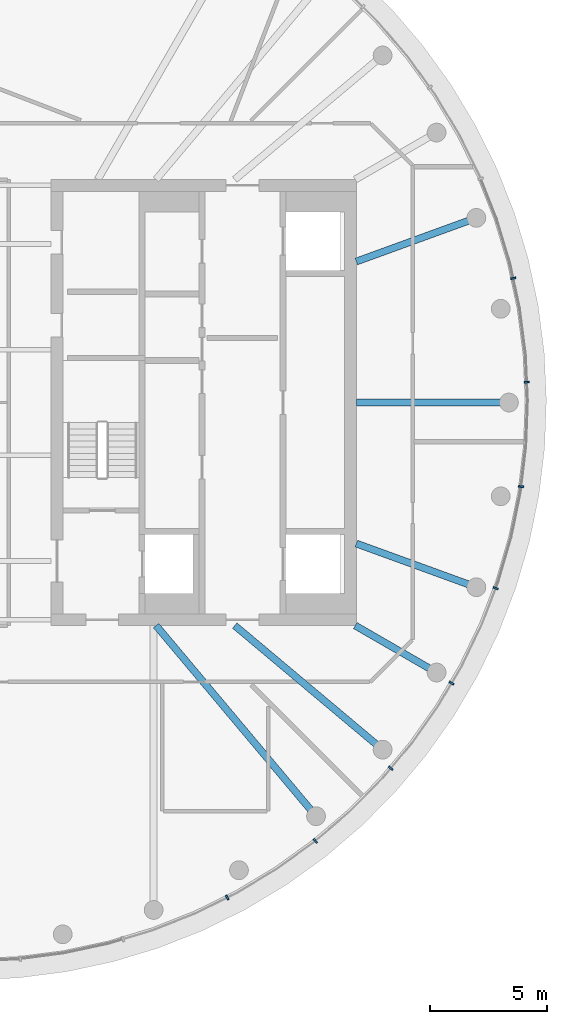
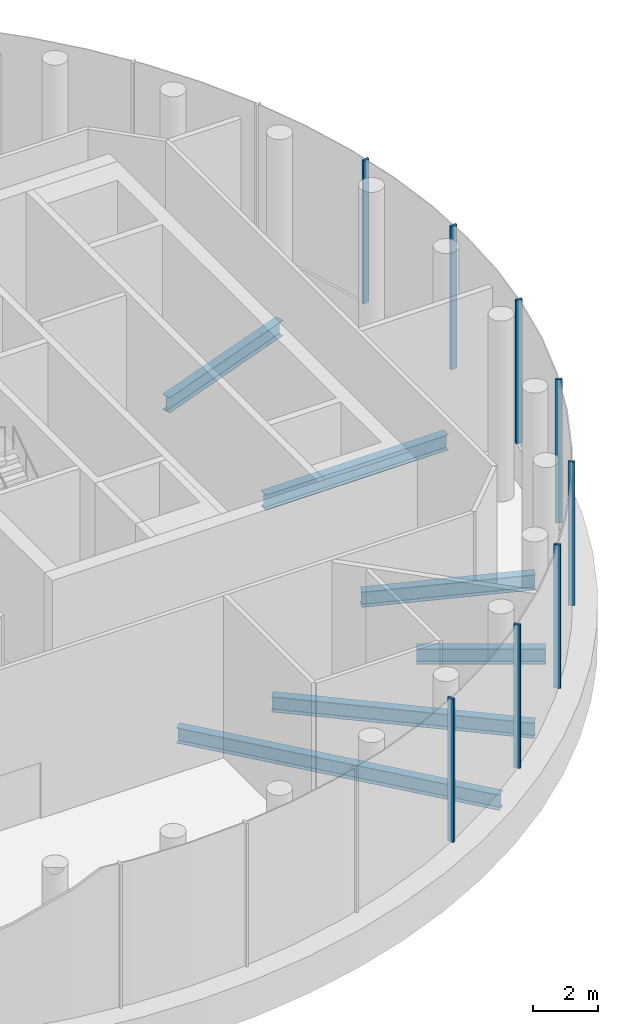
# One storey, part 4 of 12: 8 members, 6 beams, 1 element without a shape of its own.
"""IFC4 building model written with IfcOpenShell, lengths in metres."""

from ifc_helpers import new_model, si_unit, direction, frame, origin, origin_2d, place, context, subcontext, project, spatial, rectangle, i_section, extrude, material, layer, layer_set, material_profile, profile_set, type_object, element, aggregate, save


model = new_model("IFC4")

# Units and contexts
model_context = context("Model", 3, precision=1e-05, world=origin(), true_north=direction((0.0, 1.0)))
body_context = subcontext(model_context, "Body", "Model", "MODEL_VIEW")
ifc_project = project(units=[si_unit("LENGTHUNIT", "METRE"), si_unit("AREAUNIT", "SQUARE_METRE"), si_unit("VOLUMEUNIT", "CUBIC_METRE"), si_unit("PLANEANGLEUNIT", "RADIAN"), si_unit("MASSUNIT", "GRAM", prefix="KILO")], contexts=[model_context])

# Site, building, storey
site_placement = place(None, origin())
site = spatial("IfcSite", under=ifc_project, at=site_placement, CompositionType="ELEMENT")
building_placement = place(site_placement, origin())
building = spatial("IfcBuilding", under=site, at=building_placement, Name="Tamarind Cross Interchange Tower", CompositionType="ELEMENT")
storey_placement = place(building_placement, frame((0.0, 0.0, 287.39990234375)))
storey = spatial("IfcBuildingStorey", under=building, at=storey_placement, Name="L72", CompositionType="ELEMENT", Elevation=287.39990234375)

# Beams
ifc_material_1 = material(Name="Steel Q355B", Category="steel")
ifc_material_profile_1 = material_profile(ifc_material_1, i_section(OverallWidth=0.300048828125, OverallDepth=0.58203125, WebThickness=0.011962890625, FlangeThickness=0.01708984375, FilletRadius=0.01806640625, at=origin_2d()), Name="HM 582x300x12x17")
ifc_profile_set_1 = profile_set([ifc_material_profile_1], Name="Steel Q355B")
beam_type = type_object("IfcBeamType", Name="Composite beam HM 582x300x12x17 Q355B", PredefinedType="BEAM", material=ifc_profile_set_1)
beam_1_placement = place(storey_placement, frame((23.0, 0.0, -0.490966796875), z_axis=(-1.0, 0.0, 0.0), x_axis=(0.0, -1.0, 0.0)))
element("IfcBeam", 1, at=beam_1_placement, inside=storey, type_object=beam_type, Name="Beam HH00", PredefinedType="BEAM", context=body_context, shape_type="SweptSolid", body=[
    extrude(i_section(OverallWidth=0.300048828125, OverallDepth=0.58203125, WebThickness=0.011962890625, FlangeThickness=0.01708984375, FilletRadius=0.01806640625, at=origin_2d()), origin(), (0.0, 0.0, 1.0), 6.5),
])
beam_2_placement = place(storey_placement, frame((21.613037109375, 7.866455078125, -0.490966796875), z_axis=(-0.939701685589, -0.341995236956, 0.0), x_axis=(0.341995236956, -0.939701685589, 0.0)))
element("IfcBeam", 2, at=beam_2_placement, inside=storey, type_object=beam_type, Name="Beam HH02", PredefinedType="BEAM", context=body_context, shape_type="SweptSolid", body=[
    extrude(i_section(OverallWidth=0.300048828125, OverallDepth=0.58203125, WebThickness=0.011962890625, FlangeThickness=0.01708984375, FilletRadius=0.01806640625, at=origin_2d()), origin(), (0.0, 0.0, 1.0), 5.441162109375),
])
beam_3_placement = place(storey_placement, frame((14.7841796875, -17.619140625, -0.490966796875), z_axis=(-0.642786293979, 0.766045547127, 0.0), x_axis=(-0.766045547127, -0.642786293979, 0.0)))
element("IfcBeam", 3, at=beam_3_placement, inside=storey, type_object=beam_type, Name="Beam HH31", PredefinedType="BEAM", context=body_context, shape_type="SweptSolid", body=[
    extrude(i_section(OverallWidth=0.300048828125, OverallDepth=0.58203125, WebThickness=0.011962890625, FlangeThickness=0.01708984375, FilletRadius=0.01806640625, at=origin_2d()), origin(), (0.0, 0.0, 1.0), 10.598876953125),
])
beam_4_placement = place(storey_placement, frame((17.619140625, -14.7841796875, -0.490966796875), z_axis=(-0.766040580814, 0.642792212574, 0.0), x_axis=(-0.642792212574, -0.766040580814, 0.0)))
element("IfcBeam", 4, at=beam_4_placement, inside=storey, type_object=beam_type, Name="Beam HH32", PredefinedType="BEAM", context=body_context, shape_type="SweptSolid", body=[
    extrude(i_section(OverallWidth=0.300048828125, OverallDepth=0.58203125, WebThickness=0.011962890625, FlangeThickness=0.01708984375, FilletRadius=0.01806640625, at=origin_2d()), origin(), (0.0, 0.0, 1.0), 8.220703125),
])
beam_5_placement = place(storey_placement, frame((19.918701171875, -11.5, -0.490966796875), z_axis=(-0.866026010844, 0.49999894854, 0.0), x_axis=(-0.49999894854, -0.866026010844, 0.0)))
element("IfcBeam", 5, at=beam_5_placement, inside=storey, type_object=beam_type, Name="Beam HH33", PredefinedType="BEAM", context=body_context, shape_type="SweptSolid", body=[
    extrude(i_section(OverallWidth=0.300048828125, OverallDepth=0.58203125, WebThickness=0.011962890625, FlangeThickness=0.01708984375, FilletRadius=0.01806640625, at=origin_2d()), origin(), (0.0, 0.0, 1.0), 4.0),
])
beam_6_placement = place(storey_placement, frame((21.613037109375, -7.866455078125, -0.490966796875), z_axis=(-0.939701685589, 0.341995236956, 0.0), x_axis=(-0.341995236956, -0.939701685589, 0.0)))
element("IfcBeam", 6, at=beam_6_placement, inside=storey, type_object=beam_type, Name="Beam HH34", PredefinedType="BEAM", context=body_context, shape_type="SweptSolid", body=[
    extrude(i_section(OverallWidth=0.300048828125, OverallDepth=0.58203125, WebThickness=0.011962890625, FlangeThickness=0.01708984375, FilletRadius=0.01806640625, at=origin_2d()), origin(), (0.0, 0.0, 1.0), 5.441162109375),
])

# Curtain wall, members
ifc_material_2 = material(Name="Aluminium 6063-T6", Category="aluminium")
ifc_layer = layer(ifc_material_2, 0.219970703125)
ifc_layer_set = layer_set([ifc_layer], Name="Aluminium 6063-T6")
curtain_wall_type = type_object("IfcCurtainWallType", Name="Observation deck curtain wall", PredefinedType="NOTDEFINED", material=ifc_layer_set)
curtain_wall_placement = place(storey_placement, origin())
curtain_wall = element("IfcCurtainWall", 7, at=curtain_wall_placement, inside=storey, type_object=curtain_wall_type, Name="CWS-L72-02", PredefinedType="NOTDEFINED")
ifc_material_profile_2 = material_profile(ifc_material_2, rectangle(XDim=0.080078125, YDim=0.219970703125, at=origin_2d()), Name="Mullion CW5")
ifc_profile_set_2 = profile_set([ifc_material_profile_2], Name="Aluminium 6063-T6")
member_type = type_object("IfcMemberType", Name="Mullion CW5", PredefinedType="MULLION", material=ifc_profile_set_2)
member_1_placement = place(storey_placement, frame((11.000244140625, -21.083984375, 1.400146484375), z_axis=(0.0, 0.0, 1.0), x_axis=(0.896492548518, 0.443058811505, 0.0)))
member_1 = element("IfcMember", 8, at=member_1_placement, type_object=member_type, Name="CWM-L72-02-16", PredefinedType="MULLION", context=body_context, shape_type="SweptSolid", body=[
    extrude(rectangle(XDim=0.080078125, YDim=0.219970703125, at=origin_2d()), origin(), (0.0, 0.0, 1.0), 5.39990234375),
])
member_2_placement = place(storey_placement, frame((14.74951171875, -18.669677734375, 1.400146484375), z_axis=(0.0, 0.0, 1.0), x_axis=(0.760295606781, 0.64957723968, 0.0)))
member_2 = element("IfcMember", 9, at=member_2_placement, type_object=member_type, Name="CWM-L72-02-17", PredefinedType="MULLION", context=body_context, shape_type="SweptSolid", body=[
    extrude(rectangle(XDim=0.080078125, YDim=0.219970703125, at=origin_2d()), origin(), (0.0, 0.0, 1.0), 5.39990234375),
])
member_3_placement = place(storey_placement, frame((17.96435546875, -15.578857421875, 1.400146484375), z_axis=(0.0, 0.0, 1.0), x_axis=(0.643009266048, 0.765858396687, 0.0)))
member_3 = element("IfcMember", 10, at=member_3_placement, type_object=member_type, Name="CWM-L72-02-18", PredefinedType="MULLION", context=body_context, shape_type="SweptSolid", body=[
    extrude(rectangle(XDim=0.080078125, YDim=0.219970703125, at=origin_2d()), origin(), (0.0, 0.0, 1.0), 5.39990234375),
])
member_4_placement = place(storey_placement, frame((20.5546875, -11.94970703125, 1.400146484375), z_axis=(0.0, 0.0, 1.0), x_axis=(0.508183308752, 0.861248933065, 0.0)))
member_4 = element("IfcMember", 11, at=member_4_placement, type_object=member_type, Name="CWM-L72-02-19", PredefinedType="MULLION", context=body_context, shape_type="SweptSolid", body=[
    extrude(rectangle(XDim=0.080078125, YDim=0.219970703125, at=origin_2d()), origin(), (0.0, 0.0, 1.0), 5.39990234375),
])
member_5_placement = place(storey_placement, frame((22.43310546875, -7.905517578125, 1.400146484375), z_axis=(0.0, 0.0, 1.0), x_axis=(0.359495435512, 0.933146843667, 0.0)))
member_5 = element("IfcMember", 12, at=member_5_placement, type_object=member_type, Name="CWM-L72-02-20", PredefinedType="MULLION", context=body_context, shape_type="SweptSolid", body=[
    extrude(rectangle(XDim=0.080078125, YDim=0.219970703125, at=origin_2d()), origin(), (0.0, 0.0, 1.0), 5.39990234375),
])
member_6_placement = place(storey_placement, frame((23.51611328125, -3.579833984375, 1.400146484375), z_axis=(0.0, 0.0, 1.0), x_axis=(0.119420963295, 0.992843710523, 0.0)))
member_6 = element("IfcMember", 13, at=member_6_placement, type_object=member_type, Name="CWM-L72-02-21", PredefinedType="MULLION", context=body_context, shape_type="SweptSolid", body=[
    extrude(rectangle(XDim=0.080078125, YDim=0.219970703125, at=origin_2d()), origin(), (0.0, 0.0, 1.0), 5.39990234375),
])
member_7_placement = place(storey_placement, frame((23.760498046875, 0.87255859375, 1.400146484375), z_axis=(0.0, 0.0, 1.0), x_axis=(-0.045624486728, 0.998958660912, 0.0)))
member_7 = element("IfcMember", 14, at=member_7_placement, type_object=member_type, Name="CWM-L72-02-22", PredefinedType="MULLION", context=body_context, shape_type="SweptSolid", body=[
    extrude(rectangle(XDim=0.080078125, YDim=0.219970703125, at=origin_2d()), origin(), (0.0, 0.0, 1.0), 5.39990234375),
])
member_8_placement = place(storey_placement, frame((23.180908203125, 5.29345703125, 1.400146484375), z_axis=(0.0, 0.0, 1.0), x_axis=(-0.209425419705, 0.977824623121, 0.0)))
member_8 = element("IfcMember", 15, at=member_8_placement, type_object=member_type, Name="CWM-L72-02-23", PredefinedType="MULLION", context=body_context, shape_type="SweptSolid", body=[
    extrude(rectangle(XDim=0.080078125, YDim=0.219970703125, at=origin_2d()), origin(), (0.0, 0.0, 1.0), 5.39990234375),
])
aggregate(curtain_wall, [member_1, member_2, member_3, member_4, member_5, member_6, member_7, member_8])

save(model, "model.ifc")
